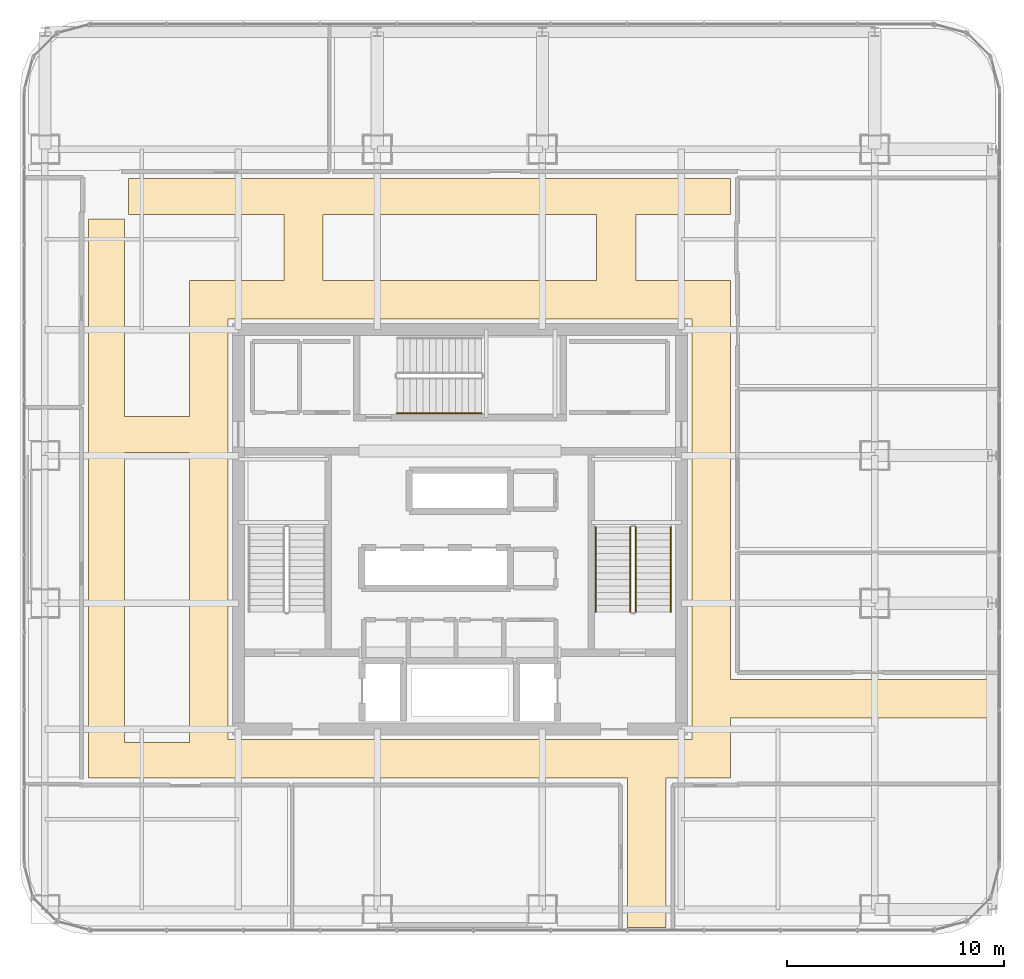
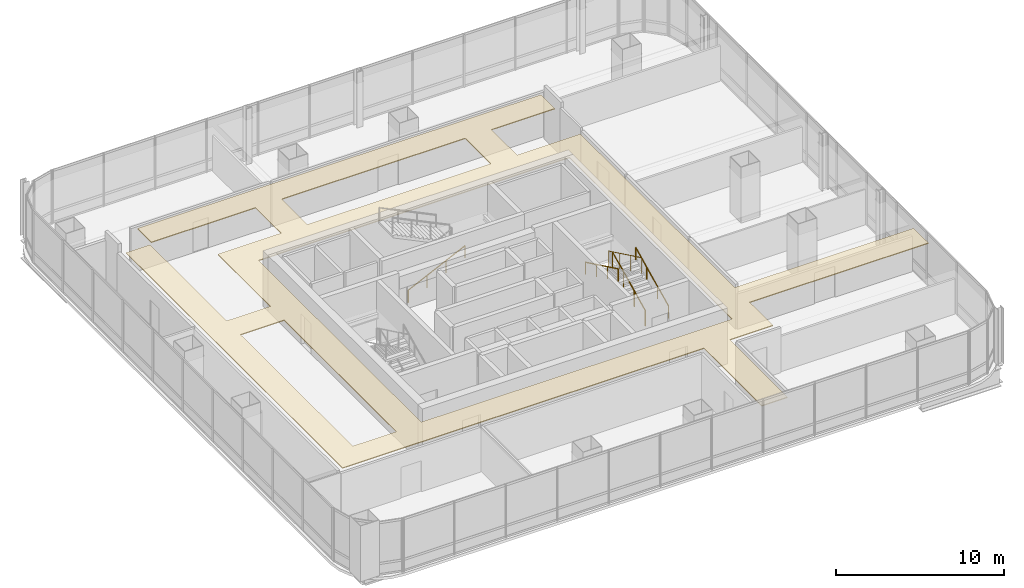
# One storey, part 40 of 42: 5 railings, 1 covering.
"""IFC4 building model written with IfcOpenShell, lengths in metres."""

import ifcopenshell
import ifcopenshell.guid

model = None  # the IFC model being written
_history = None  # IfcOwnerHistory: only IFC2X3 demands one
_inside = {}  # id of a spatial element -> (the spatial element, [elements in it])
_under = {}  # id of a project, library or spatial element -> (it, [spatial elements below it])
_declared = {}  # id of a project -> (the project, [libraries it declares])
_typed = {}  # id of a type object -> (the type object, [elements of that type])
_made_of = {}  # id of a material, layer set ... -> (it, [elements and type objects made of it])


def new_model(schema):
    """Start an empty IFC model of exactly this schema.

    Asked for "IFC4X3", IfcOpenShell would pick the latest addendum, in which some entities
    have other attributes; the version numbers below select the first issue.
    IFC2X3 requires an IfcOwnerHistory on every rooted entity: one is made here for all.
    """
    global model, _history
    if schema == "IFC4X3":
        model = ifcopenshell.file(schema_version=(4, 3, 0, 0))
    else:
        model = ifcopenshell.file(schema=schema)
    _inside.clear()
    _under.clear()
    _declared.clear()
    _typed.clear()
    _made_of.clear()
    _history = None
    if model.schema == "IFC2X3":
        org = make("IfcOrganization", Name="unknown")
        user = make(
            "IfcPersonAndOrganization",
            ThePerson=make("IfcPerson", FamilyName="unknown"),
            TheOrganization=org,
        )
        app = make(
            "IfcApplication",
            ApplicationDeveloper=org,
            Version="unknown",
            ApplicationFullName="unknown",
            ApplicationIdentifier="unknown",
        )
        _history = make(
            "IfcOwnerHistory",
            OwningUser=user,
            OwningApplication=app,
            ChangeAction="ADDED",
            CreationDate=0,
        )
    return model


def make(cls, **values):
    """One entity of the class cls with the attributes given. An attribute that is None is left unset."""
    return model.create_entity(
        cls, **{name: value for name, value in values.items() if value is not None}
    )


def rooted(cls, **values):
    """An entity with a GlobalId (a new one), such as an element, a storey or a relation."""
    return make(cls, GlobalId=ifcopenshell.guid.new(), OwnerHistory=_history, **values)


def si_unit(unit_type, name, prefix=None):
    """IfcSIUnit, for example si_unit("LENGTHUNIT", "METRE", prefix="MILLI")."""
    return make("IfcSIUnit", UnitType=unit_type, Prefix=prefix, Name=name)


def assignment(units):
    """IfcUnitAssignment: the units of a project."""
    return None if units is None else make("IfcUnitAssignment", Units=units)


def point(xyz):
    """IfcCartesianPoint."""
    return None if xyz is None else make("IfcCartesianPoint", Coordinates=xyz)


def direction(xyz):
    """IfcDirection."""
    return None if xyz is None else make("IfcDirection", DirectionRatios=xyz)


def frame(location, z_axis=None, x_axis=None):
    """IfcAxis2Placement3D, a coordinate frame: its origin and axes. An axis left out is left unset."""
    return make(
        "IfcAxis2Placement3D",
        Location=point(location),
        Axis=direction(z_axis),
        RefDirection=direction(x_axis),
    )


def frame_2d(location, x_axis=None):
    """IfcAxis2Placement2D, a coordinate frame in the plane: its origin and x axis."""
    return make(
        "IfcAxis2Placement2D", Location=point(location), RefDirection=direction(x_axis)
    )


def origin():
    """The frame at (0, 0, 0) with its axes left unset."""
    return frame((0.0, 0.0, 0.0))


def origin_2d():
    """The frame at (0, 0) in the plane with its x axis left unset."""
    return frame_2d((0.0, 0.0))


def place(relative_to, where):
    """IfcLocalPlacement: puts the frame where relative to a parent placement (None: the world)."""
    return make(
        "IfcLocalPlacement", PlacementRelTo=relative_to, RelativePlacement=where
    )


def context(
    kind, dimensions, precision=None, world=None, true_north=None, identifier=None
):
    """IfcGeometricRepresentationContext, for example the 3D "Model" context."""
    return make(
        "IfcGeometricRepresentationContext",
        ContextIdentifier=identifier,
        ContextType=kind,
        CoordinateSpaceDimension=dimensions,
        Precision=precision,
        WorldCoordinateSystem=world,
        TrueNorth=true_north,
    )


def subcontext(parent, identifier, kind, view, scale=None):
    """IfcGeometricRepresentationSubContext, for example "Body" below "Model"."""
    return make(
        "IfcGeometricRepresentationSubContext",
        ContextIdentifier=identifier,
        ContextType=kind,
        ParentContext=parent,
        TargetScale=scale,
        TargetView=view,
    )


def project(units=None, contexts=None):
    """IfcProject with its units and contexts."""
    return rooted(
        "IfcProject",
        Name="project",
        RepresentationContexts=contexts,
        UnitsInContext=assignment(units),
    )


def spatial(cls, under=None, at=None, **own):
    """A site, building, storey or space (cls), placed at a placement, below another one or the project."""
    s = rooted(cls, ObjectPlacement=at, **own)
    if under is not None:
        _under.setdefault(under.id(), (under, []))[1].append(s)
    return s


def polyline(points):
    """IfcPolyline through the points."""
    return make("IfcPolyline", Points=[point(p) for p in points])


def profile(cls, at=None, kind="AREA", **sizes):
    """A parametric profile (cls). Its sizes go by their IFC names, for example OverallWidth=200.0."""
    return make(cls, ProfileType=kind, Position=at, **sizes)


def circle(**sizes):
    """IfcCircleProfileDef."""
    return profile("IfcCircleProfileDef", **sizes)


def outline(outer, holes=None, kind="AREA"):
    """IfcArbitraryClosedProfileDef: a profile drawn as a closed curve; with holes, ...WithVoids."""
    if holes is None:
        return make("IfcArbitraryClosedProfileDef", ProfileType=kind, OuterCurve=outer)
    return make(
        "IfcArbitraryProfileDefWithVoids",
        ProfileType=kind,
        OuterCurve=outer,
        InnerCurves=holes,
    )


def extrude(swept, where, along, depth):
    """IfcExtrudedAreaSolid: the profile swept, set in the frame where, extruded along a direction by depth."""
    return make(
        "IfcExtrudedAreaSolid",
        SweptArea=swept,
        Position=where,
        ExtrudedDirection=direction(along),
        Depth=depth,
    )


def shape(context_of_items, identifier, shape_type, items):
    """IfcShapeRepresentation: the items that make up one representation, for example the "Body"."""
    return make(
        "IfcShapeRepresentation",
        ContextOfItems=context_of_items,
        RepresentationIdentifier=identifier,
        RepresentationType=shape_type,
        Items=items,
    )


def material(Name=None, Category=None):
    """IfcMaterial."""
    return make("IfcMaterial", Name=Name, Category=Category)


def layer(
    of_material, thickness, ventilated=None, Name=None, Category=None, Priority=None
):
    """IfcMaterialLayer: one layer of a wall or slab, of a material (None: an air gap)."""
    return make(
        "IfcMaterialLayer",
        Material=of_material,
        LayerThickness=thickness,
        IsVentilated=ventilated,
        Name=Name,
        Category=Category,
        Priority=Priority,
    )


def layer_set(layers, Name=None):
    """IfcMaterialLayerSet."""
    return make("IfcMaterialLayerSet", MaterialLayers=layers, LayerSetName=Name)


def made_of(thing, what):
    """Note that an element or type object is made of a material, layer set ...; save() writes the relation."""
    if what is not None:
        _made_of.setdefault(what.id(), (what, []))[1].append(thing)
    return thing


def type_object(cls, material=None, **own):
    """A type object (cls), such as IfcWallType, which elements share."""
    return made_of(rooted(cls, **own), material)


def element(
    cls,
    number,
    at=None,
    inside=None,
    cuts=None,
    type_object=None,
    material=None,
    context=None,
    identifier="Body",
    shape_type=None,
    held_by="IfcProductDefinitionShape",
    body=None,
    shapes=None,
    **own,
):
    """One element of the class cls, such as IfcWall. Its Tag is "e" and its number.

    at: its placement. inside: the storey or other place that contains it. cuts: it is an
    opening in that element (IfcRelVoidsElement). A single representation is given by context,
    identifier, shape_type and body (its items); several are given by shapes. held_by: the class
    of the entity that holds the representations. save() writes the other relations.
    """
    e = rooted(cls, Tag="e%d" % number, ObjectPlacement=at, **own)
    if body is not None:
        shapes = [shape(context, identifier, shape_type, body)]
    if shapes is not None:
        e.Representation = make(held_by, Representations=shapes)
    if inside is not None:
        _inside.setdefault(inside.id(), (inside, []))[1].append(e)
    if cuts is not None:
        rooted(
            "IfcRelVoidsElement", RelatingBuildingElement=cuts, RelatedOpeningElement=e
        )
    if type_object is not None:
        _typed.setdefault(type_object.id(), (type_object, []))[1].append(e)
    return made_of(e, material)


def aggregate(whole, parts):
    """IfcRelAggregates: a whole, such as a stair, and the parts it consists of."""
    return rooted("IfcRelAggregates", RelatingObject=whole, RelatedObjects=parts)


def save(model, path):
    """Write the relations noted so far, then the file.

    IfcRelAggregates (storeys below a building ...), IfcRelContainedInSpatialStructure (elements
    in a storey), IfcRelDefinesByType, IfcRelAssociatesMaterial and IfcRelDeclares: one each for
    every whole, place, type object, material and project.
    """
    for whole, parts in _under.values():
        aggregate(whole, parts)
    for where, things in _inside.values():
        rooted(
            "IfcRelContainedInSpatialStructure",
            RelatedElements=things,
            RelatingStructure=where,
        )
    for kind, things in _typed.values():
        rooted("IfcRelDefinesByType", RelatedObjects=things, RelatingType=kind)
    for what, things in _made_of.values():
        rooted("IfcRelAssociatesMaterial", RelatedObjects=things, RelatingMaterial=what)
    for by, libraries in _declared.values():
        rooted("IfcRelDeclares", RelatingContext=by, RelatedDefinitions=libraries)
    model.write(path)


model = new_model("IFC4")

# Units and contexts
model_context = context("Model", 3, precision=1e-05, world=origin(), true_north=direction((0.0, 1.0)))
body_context = subcontext(model_context, "Body", "Model", "MODEL_VIEW")
ifc_project = project(units=[si_unit("LENGTHUNIT", "METRE"), si_unit("AREAUNIT", "SQUARE_METRE"), si_unit("VOLUMEUNIT", "CUBIC_METRE"), si_unit("PLANEANGLEUNIT", "RADIAN"), si_unit("MASSUNIT", "GRAM", prefix="KILO")], contexts=[model_context])

# Site, building, storey
site_placement = place(None, origin())
site = spatial("IfcSite", under=ifc_project, at=site_placement, CompositionType="ELEMENT")
building_placement = place(site_placement, origin())
building = spatial("IfcBuilding", under=site, at=building_placement, Name="Punatoya Terracotta Tower", CompositionType="ELEMENT")
storey_placement = place(building_placement, frame((0.0, 0.0, 263.550048828125)))
storey = spatial("IfcBuildingStorey", under=building, at=storey_placement, Name="L62", CompositionType="ELEMENT", Elevation=263.550048828125)

# Covering
ifc_material_1 = material(Name="Acoustic Mineral Fibre Ceiling")
ifc_layer = layer(ifc_material_1, 0.06005859375)
ifc_layer_set = layer_set([ifc_layer], Name="Acoustic Mineral Fibre Ceiling")
covering_type = type_object("IfcCoveringType", Name="COV-CEIL-60", PredefinedType="CEILING", material=ifc_layer_set)
covering_placement = place(storey_placement, frame((0.0, 0.0, 3.239990234375)))
element("IfcCovering", 1, at=covering_placement, inside=storey, type_object=covering_type, Name="L62 Loop Circulation Corridor Acoustic Ceiling", PredefinedType="CEILING", context=body_context, shape_type="SweptSolid", body=[
    extrude(outline(polyline([(9.47998046875, -11.449951171875), (12.449951171875, -11.449951171875), (12.449951171875, -8.679931640625), (24.72998046875, -8.679931640625), (24.72998046875, -6.919921875), (12.449951171875, -6.919921875), (12.449951171875, 11.449951171875), (8.10009765625, 11.449951171875), (8.10009765625, 14.5), (12.449951171875, 14.5), (12.449951171875, 16.14990234375), (-15.25, 16.14990234375), (-15.25, 14.5), (-8.10009765625, 14.5), (-8.10009765625, 11.449951171875), (-12.449951171875, 11.449951171875), (-12.449951171875, 5.199951171875), (-15.449951171875, 5.199951171875), (-15.449951171875, 14.300048828125), (-17.10009765625, 14.300048828125), (-17.10009765625, -11.449951171875), (7.719970703125, -11.449951171875), (7.719970703125, -18.330078125), (9.47998046875, -18.330078125), (9.47998046875, -11.449951171875)]), holes=[polyline([(10.679931640625, 9.679931640625), (10.679931640625, -9.679931640625), (-10.679931640625, -9.679931640625), (-10.679931640625, 9.679931640625), (10.679931640625, 9.679931640625)]), polyline([(6.300048828125, 14.5), (6.300048828125, 11.449951171875), (-6.300048828125, 11.449951171875), (-6.300048828125, 14.5), (6.300048828125, 14.5)]), polyline([(-12.449951171875, 3.550048828125), (-12.449951171875, -9.800048828125), (-15.449951171875, -9.800048828125), (-15.449951171875, 3.550048828125), (-12.449951171875, 3.550048828125)])]), origin(), (0.0, 0.0, 1.0), 0.06005859375),
])

# Railings
ifc_material_2 = material(Name="Steel S355", Category="steel")
railing_type_1 = type_object("IfcRailingType", Name="RLG-GRD-1150", PredefinedType="GUARDRAIL", material=ifc_material_2)
railing_1_placement = place(storey_placement, frame((8.10009765625, -3.800048828125, 0.14453125)))
element("IfcRailing", 2, at=railing_1_placement, inside=storey, type_object=railing_type_1, Name="L62 ST-2 stair guard 1", PredefinedType="GUARDRAIL", context=body_context, shape_type="SweptSolid", body=[
    extrude(circle(Radius=0.02392578125, at=origin_2d()), frame((0.0, 0.0, 1.1259765625), z_axis=(0.0, 0.900773802044, 0.434288564841), x_axis=(-1.0, 0.0, 0.0)), (0.0, 0.0, 1.0), 4.329833984375),
    extrude(circle(Radius=0.02099609375, at=origin_2d()), origin(), (0.0, 0.0, 1.0), 1.101806640625),
    extrude(circle(Radius=0.02099609375, at=origin_2d()), frame((0.0, 1.300048828125, 0.626708984375)), (0.0, 0.0, 1.0), 1.101806640625),
    extrude(circle(Radius=0.02099609375, at=origin_2d()), frame((0.0, 2.60009765625, 1.253662109375)), (0.0, 0.0, 1.0), 1.101806640625),
    extrude(circle(Radius=0.02099609375, at=origin_2d()), frame((0.0, 3.900146484375, 1.88037109375)), (0.0, 0.0, 1.0), 1.101806640625),
])
railing_2_placement = place(storey_placement, frame((7.85009765625, 0.10009765625, 2.169677734375)))
element("IfcRailing", 3, at=railing_2_placement, inside=storey, type_object=railing_type_1, Name="L62 ST-2 stair guard 3", PredefinedType="GUARDRAIL", context=body_context, shape_type="SweptSolid", body=[
    extrude(circle(Radius=0.02392578125, at=origin_2d()), frame((0.0, 0.0, 1.1259765625), z_axis=(0.0, -0.900773802044, 0.434288564841), x_axis=(1.0, 0.0, 0.0)), (0.0, 0.0, 1.0), 4.329833984375),
    extrude(circle(Radius=0.02099609375, at=origin_2d()), origin(), (0.0, 0.0, 1.0), 1.101806640625),
    extrude(circle(Radius=0.02099609375, at=origin_2d()), frame((0.0, -1.300048828125, 0.626708984375)), (0.0, 0.0, 1.0), 1.101806640625),
    extrude(circle(Radius=0.02099609375, at=origin_2d()), frame((0.0, -2.60009765625, 1.253662109375)), (0.0, 0.0, 1.0), 1.101806640625),
    extrude(circle(Radius=0.02099609375, at=origin_2d()), frame((0.0, -3.900146484375, 1.88037109375)), (0.0, 0.0, 1.0), 1.101806640625),
])
railing_type_2 = type_object("IfcRailingType", Name="RLG-HND-900", PredefinedType="HANDRAIL", material=ifc_material_2)
railing_3_placement = place(storey_placement, frame((9.699951171875, -3.800048828125, 0.14453125)))
element("IfcRailing", 4, at=railing_3_placement, inside=storey, type_object=railing_type_2, Name="L62 ST-2 stair handrail 1", PredefinedType="HANDRAIL", context=body_context, shape_type="SweptSolid", body=[
    extrude(circle(Radius=0.02392578125, at=origin_2d()), frame((0.0, 0.0, 0.8759765625), z_axis=(0.0, 0.900773802044, 0.434288564841), x_axis=(-1.0, 0.0, 0.0)), (0.0, 0.0, 1.0), 4.329833984375),
    extrude(circle(Radius=0.02099609375, at=origin_2d()), origin(), (0.0, 0.0, 1.0), 0.851806640625),
    extrude(circle(Radius=0.02099609375, at=origin_2d()), frame((0.0, 1.300048828125, 0.626708984375)), (0.0, 0.0, 1.0), 0.851806640625),
    extrude(circle(Radius=0.02099609375, at=origin_2d()), frame((0.0, 2.60009765625, 1.253662109375)), (0.0, 0.0, 1.0), 0.851806640625),
    extrude(circle(Radius=0.02099609375, at=origin_2d()), frame((0.0, 3.900146484375, 1.88037109375)), (0.0, 0.0, 1.0), 0.851806640625),
])
railing_4_placement = place(storey_placement, frame((6.25, 0.10009765625, 2.169677734375)))
element("IfcRailing", 5, at=railing_4_placement, inside=storey, type_object=railing_type_2, Name="L62 ST-2 stair handrail 2", PredefinedType="HANDRAIL", context=body_context, shape_type="SweptSolid", body=[
    extrude(circle(Radius=0.02392578125, at=origin_2d()), frame((0.0, 0.0, 0.8759765625), z_axis=(0.0, -0.900773802044, 0.434288564841), x_axis=(1.0, 0.0, 0.0)), (0.0, 0.0, 1.0), 4.329833984375),
    extrude(circle(Radius=0.02099609375, at=origin_2d()), origin(), (0.0, 0.0, 1.0), 0.851806640625),
    extrude(circle(Radius=0.02099609375, at=origin_2d()), frame((0.0, -1.300048828125, 0.626708984375)), (0.0, 0.0, 1.0), 0.851806640625),
    extrude(circle(Radius=0.02099609375, at=origin_2d()), frame((0.0, -2.60009765625, 1.253662109375)), (0.0, 0.0, 1.0), 0.851806640625),
    extrude(circle(Radius=0.02099609375, at=origin_2d()), frame((0.0, -3.900146484375, 1.88037109375)), (0.0, 0.0, 1.0), 0.851806640625),
])
railing_5_placement = place(storey_placement, frame((-2.89990234375, 5.35009765625, 0.14453125)))
element("IfcRailing", 6, at=railing_5_placement, inside=storey, type_object=railing_type_2, Name="L62 ST-3 stair handrail 1", PredefinedType="HANDRAIL", context=body_context, shape_type="SweptSolid", body=[
    extrude(circle(Radius=0.02392578125, at=origin_2d()), frame((0.0, 0.0, 0.8759765625), z_axis=(0.900763166376, 0.0, 0.434310623978), x_axis=(0.0, 1.0, 0.0)), (0.0, 0.0, 1.0), 4.32958984375),
    extrude(circle(Radius=0.02099609375, at=origin_2d()), origin(), (0.0, 0.0, 1.0), 0.851806640625),
    extrude(circle(Radius=0.02099609375, at=origin_2d()), frame((1.300048828125, 0.0, 0.626708984375)), (0.0, 0.0, 1.0), 0.851806640625),
    extrude(circle(Radius=0.02099609375, at=origin_2d()), frame((2.599853515625, 0.0, 1.253662109375)), (0.0, 0.0, 1.0), 0.851806640625),
    extrude(circle(Radius=0.02099609375, at=origin_2d()), frame((3.89990234375, 0.0, 1.88037109375)), (0.0, 0.0, 1.0), 0.851806640625),
])

save(model, "model.ifc")
